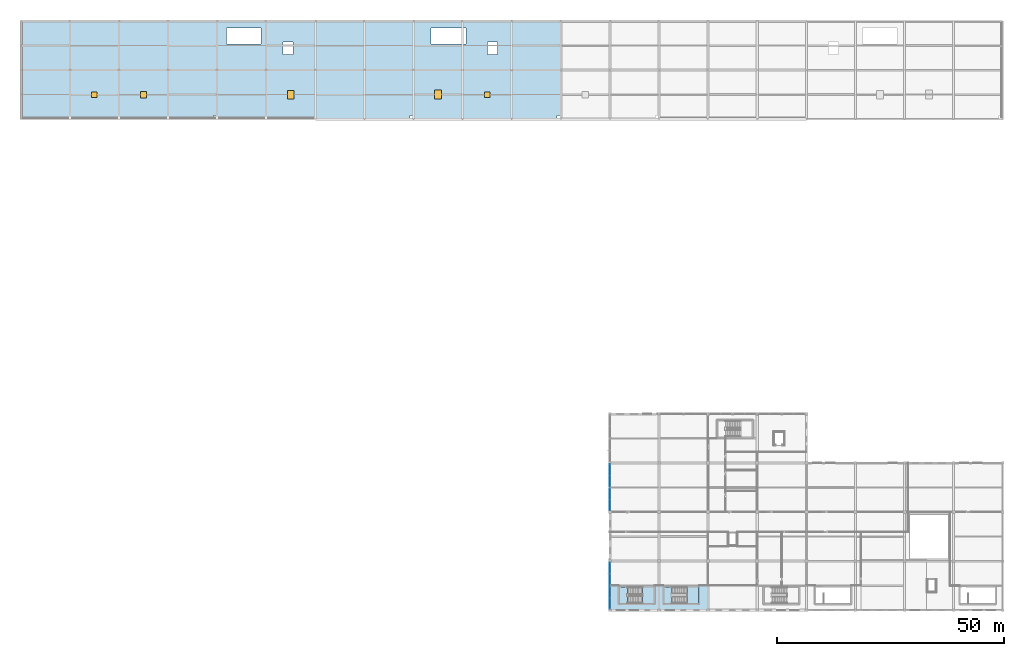
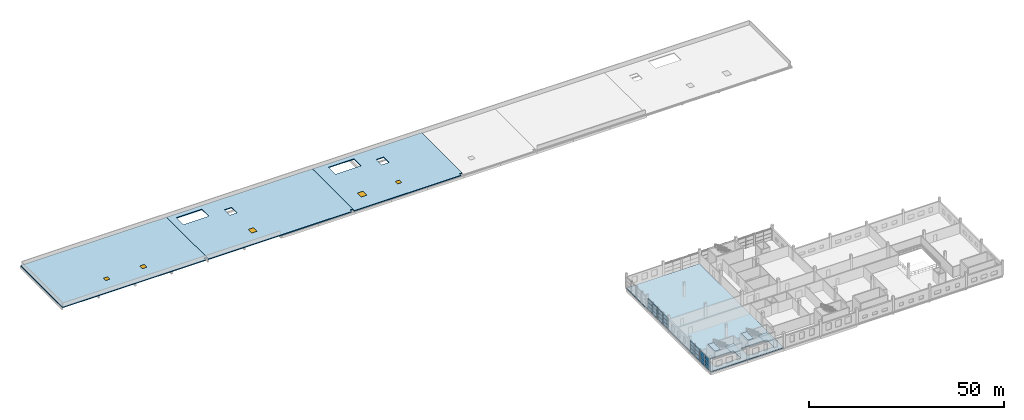
# One storey, part 11 of 24: 24 plates, 8 slabs, 5 windows, 5 openings, 6 elements without a shape of their own.
"""IFC4 building model written with IfcOpenShell, lengths in metres."""

from ifc_helpers import new_model, si_unit, direction, frame, origin, origin_2d, place, context, subcontext, project, spatial, polyline, rectangle, outline, extrude, material, layer, layer_set, type_object, element, fill, aggregate, save


model = new_model("IFC4")

# Units and contexts
model_context = context("Model", 3, precision=1e-05, world=origin(), true_north=direction((0.0, 1.0)))
body_context = subcontext(model_context, "Body", "Model", "MODEL_VIEW")
ifc_project = project(units=[si_unit("LENGTHUNIT", "METRE"), si_unit("AREAUNIT", "SQUARE_METRE"), si_unit("VOLUMEUNIT", "CUBIC_METRE"), si_unit("PLANEANGLEUNIT", "RADIAN"), si_unit("MASSUNIT", "GRAM", prefix="KILO")], contexts=[model_context])

# Site, building, storey
site_placement = place(None, origin())
site = spatial("IfcSite", under=ifc_project, at=site_placement, CompositionType="ELEMENT")
building_placement = place(site_placement, origin())
building = spatial("IfcBuilding", under=site, at=building_placement, Name="Zwinboog Wholesale Market", CompositionType="ELEMENT")
storey_placement = place(building_placement, frame((0.0, 0.0, 10.080078125)))
storey = spatial("IfcBuildingStorey", under=building, at=storey_placement, Name="L02", CompositionType="ELEMENT", Elevation=10.080078125)

# Slab
ifc_material_1 = material(Name="Precast concrete C45/55", Category="concrete")
ifc_layer_1 = layer(ifc_material_1, 0.280029296875)
ifc_layer_set_1 = layer_set([ifc_layer_1], Name="Precast concrete C45/55")
slab_type_1 = type_object("IfcSlabType", Name="SLT-FL-280", PredefinedType="FLOOR", material=ifc_layer_set_1)
slab_1_placement = place(storey_placement, frame((0.0, 0.0, -0.280029296875)))
element("IfcSlab", 1, at=slab_1_placement, inside=storey, type_object=slab_type_1, Name="SF-280 (SLB-L02-056)", PredefinedType="FLOOR", context=body_context, shape_type="SweptSolid", body=[
    extrude(outline(polyline([(129.60009765625, 0.0), (151.199951171875, 0.0), (151.199951171875, 43.199951171875), (129.60009765625, 43.199951171875), (129.60009765625, 0.0)]), holes=[polyline([(131.699951171875, 1.5), (139.300048828125, 1.5), (139.300048828125, 5.10009765625), (131.699951171875, 5.10009765625), (131.699951171875, 1.5)]), polyline([(141.5, 1.5), (149.10009765625, 1.5), (149.10009765625, 5.10009765625), (141.5, 5.10009765625), (141.5, 1.5)])]), origin(), (0.0, 0.0, 1.0), 0.280029296875),
])

# Slab, openings, windows
ifc_layer_2 = layer(ifc_material_1, 0.27392578125)
ifc_layer_set_2 = layer_set([ifc_layer_2], Name="Precast concrete C45/55")
slab_type_2 = type_object("IfcSlabType", Name="SLT-GR-274", PredefinedType="ROOF", material=ifc_layer_set_2)
slab_2_placement = place(storey_placement, frame((0.0, 0.0, -0.274169921875)))
slab_2 = element("IfcSlab", 2, at=slab_2_placement, inside=storey, type_object=slab_type_2, Name="SG-274 (SLB-L02-GRF-01)", PredefinedType="ROOF", context=body_context, shape_type="SweptSolid", body=[
    extrude(outline(polyline([(0.0, 108.0), (42.39990234375, 108.0), (42.39990234375, 108.800048828125), (43.199951171875, 108.800048828125), (43.199951171875, 129.60009765625), (0.0, 129.60009765625), (0.0, 108.0)])), origin(), (0.0, 0.0, 1.0), 0.274169921875),
])
opening_1_placement = place(slab_2_placement, frame((16.199951171875, 113.39990234375, 0.0)))
opening_1 = element("IfcOpeningElement", 3, at=opening_1_placement, cuts=slab_2, Name="Opening RH-01", PredefinedType="OPENING", context=body_context, shape_type="SweptSolid", body=[
    extrude(rectangle(XDim=1.199951171875, YDim=1.199951171875, at=origin_2d()), frame((0.0, 0.0, -0.010009765625)), (0.0, 0.0, 1.0), 0.294189453125),
])
opening_2_placement = place(slab_2_placement, frame((27.0, 113.39990234375, 0.0)))
opening_2 = element("IfcOpeningElement", 4, at=opening_2_placement, cuts=slab_2, Name="Opening RH-02", PredefinedType="OPENING", context=body_context, shape_type="SweptSolid", body=[
    extrude(rectangle(XDim=1.39990234375, YDim=1.39990234375, at=origin_2d()), frame((0.0, 0.0, -0.010009765625)), (0.0, 0.0, 1.0), 0.294189453125),
])
ifc_material_2 = material(Name="Aerodynamic insulated aluminium smoke-vent hatch", Category="aluminium")
window_type_1 = type_object("IfcWindowType", Name="SKT-01", PartitioningType="SINGLE_PANEL", PredefinedType="SKYLIGHT", material=ifc_material_2)
window_1_placement = place(opening_1_placement, frame((0.0, 0.0, 0.22412109375)))
window_1 = element("IfcWindow", 5, at=window_1_placement, inside=storey, type_object=window_type_1, Name="Roof Smoke-Vent Hatch RH-01", OverallHeight=1.199951171875, OverallWidth=1.199951171875, PartitioningType="SINGLE_PANEL", PredefinedType="SKYLIGHT", context=body_context, shape_type="SweptSolid", body=[
    extrude(rectangle(XDim=1.199951171875, YDim=1.199951171875, at=origin_2d()), origin(), (0.0, 0.0, 1.0), 0.050048828125),
])
fill(opening_1, window_1)
window_type_2 = type_object("IfcWindowType", Name="SKT-02", PartitioningType="SINGLE_PANEL", PredefinedType="SKYLIGHT", material=ifc_material_2)
window_2_placement = place(opening_2_placement, frame((0.0, 0.0, 0.22412109375)))
window_2 = element("IfcWindow", 6, at=window_2_placement, inside=storey, type_object=window_type_2, Name="Roof Smoke-Vent Hatch RH-02", OverallHeight=1.39990234375, OverallWidth=1.39990234375, PartitioningType="SINGLE_PANEL", PredefinedType="SKYLIGHT", context=body_context, shape_type="SweptSolid", body=[
    extrude(rectangle(XDim=1.39990234375, YDim=1.39990234375, at=origin_2d()), origin(), (0.0, 0.0, 1.0), 0.050048828125),
])
fill(opening_2, window_2)

slab_3_placement = place(storey_placement, frame((0.0, 0.0, -0.274169921875)))
slab_3 = element("IfcSlab", 7, at=slab_3_placement, inside=storey, type_object=slab_type_2, Name="SG-274 (SLB-L02-GRF-03)", PredefinedType="ROOF", context=body_context, shape_type="SweptSolid", body=[
    extrude(outline(polyline([(86.39990234375, 108.0), (118.0, 108.0), (118.0, 108.800048828125), (118.800048828125, 108.800048828125), (118.800048828125, 129.60009765625), (86.39990234375, 129.60009765625), (86.39990234375, 108.0)]), holes=[polyline([(90.300048828125, 124.5), (97.89990234375, 124.5), (97.89990234375, 128.10009765625), (90.300048828125, 128.10009765625), (90.300048828125, 124.5)]), polyline([(102.699951171875, 122.199951171875), (104.89990234375, 122.199951171875), (104.89990234375, 125.0), (102.699951171875, 125.0), (102.699951171875, 122.199951171875)])]), origin(), (0.0, 0.0, 1.0), 0.274169921875),
])
opening_3_placement = place(slab_3_placement, frame((91.800048828125, 113.39990234375, 0.0)))
opening_3 = element("IfcOpeningElement", 8, at=opening_3_placement, cuts=slab_3, Name="Opening RH-04", PredefinedType="OPENING", context=body_context, shape_type="SweptSolid", body=[
    extrude(rectangle(XDim=1.60009765625, YDim=2.0, at=origin_2d()), frame((0.0, 0.0, -0.010009765625)), (0.0, 0.0, 1.0), 0.294189453125),
])
opening_4_placement = place(slab_3_placement, frame((102.60009765625, 113.39990234375, 0.0)))
opening_4 = element("IfcOpeningElement", 9, at=opening_4_placement, cuts=slab_3, Name="Opening RH-05", PredefinedType="OPENING", context=body_context, shape_type="SweptSolid", body=[
    extrude(rectangle(XDim=1.199951171875, YDim=1.199951171875, at=origin_2d()), frame((0.0, 0.0, -0.010009765625)), (0.0, 0.0, 1.0), 0.294189453125),
])
window_3_placement = place(opening_4_placement, frame((0.0, 0.0, 0.22412109375)))
window_3 = element("IfcWindow", 10, at=window_3_placement, inside=storey, type_object=window_type_1, Name="Roof Smoke-Vent Hatch RH-05", OverallHeight=1.199951171875, OverallWidth=1.199951171875, PartitioningType="SINGLE_PANEL", PredefinedType="SKYLIGHT", context=body_context, shape_type="SweptSolid", body=[
    extrude(rectangle(XDim=1.199951171875, YDim=1.199951171875, at=origin_2d()), origin(), (0.0, 0.0, 1.0), 0.050048828125),
])
fill(opening_4, window_3)
window_type_3 = type_object("IfcWindowType", Name="SKT-04", PartitioningType="SINGLE_PANEL", PredefinedType="SKYLIGHT", material=ifc_material_2)
window_4_placement = place(opening_3_placement, frame((0.0, 0.0, 0.22412109375)))
window_4 = element("IfcWindow", 11, at=window_4_placement, inside=storey, type_object=window_type_3, Name="Roof Smoke-Vent Hatch RH-04", OverallHeight=2.0, OverallWidth=1.60009765625, PartitioningType="SINGLE_PANEL", PredefinedType="SKYLIGHT", context=body_context, shape_type="SweptSolid", body=[
    extrude(rectangle(XDim=1.60009765625, YDim=2.0, at=origin_2d()), origin(), (0.0, 0.0, 1.0), 0.050048828125),
])
fill(opening_3, window_4)

# Slab, opening, window
ifc_layer_3 = layer(ifc_material_1, 0.2958984375)
ifc_layer_set_3 = layer_set([ifc_layer_3], Name="Precast concrete C45/55")
slab_type_3 = type_object("IfcSlabType", Name="SLT-GR-296", PredefinedType="ROOF", material=ifc_layer_set_3)
slab_4_placement = place(storey_placement, frame((0.0, 0.0, -0.296142578125)))
slab_4 = element("IfcSlab", 12, at=slab_4_placement, inside=storey, type_object=slab_type_3, Name="SG-296 (SLB-L02-GRF-02)", PredefinedType="ROOF", context=body_context, shape_type="SweptSolid", body=[
    extrude(outline(polyline([(43.199951171875, 108.0), (85.60009765625, 108.0), (85.60009765625, 108.800048828125), (86.39990234375, 108.800048828125), (86.39990234375, 129.60009765625), (43.199951171875, 129.60009765625), (43.199951171875, 108.0)]), holes=[polyline([(45.300048828125, 124.5), (52.89990234375, 124.5), (52.89990234375, 128.10009765625), (45.300048828125, 128.10009765625), (45.300048828125, 124.5)]), polyline([(57.699951171875, 122.199951171875), (59.89990234375, 122.199951171875), (59.89990234375, 125.0), (57.699951171875, 125.0), (57.699951171875, 122.199951171875)])]), origin(), (0.0, 0.0, 1.0), 0.296142578125),
])
opening_5_placement = place(slab_4_placement, frame((59.39990234375, 113.39990234375, 0.0)))
opening_5 = element("IfcOpeningElement", 13, at=opening_5_placement, cuts=slab_4, Name="Opening RH-03", PredefinedType="OPENING", context=body_context, shape_type="SweptSolid", body=[
    extrude(rectangle(XDim=1.5, YDim=1.800048828125, at=origin_2d()), frame((0.0, 0.0, -0.010009765625)), (0.0, 0.0, 1.0), 0.316162109375),
])
window_type_4 = type_object("IfcWindowType", Name="SKT-03", PartitioningType="SINGLE_PANEL", PredefinedType="SKYLIGHT", material=ifc_material_2)
window_5_placement = place(opening_5_placement, frame((0.0, 0.0, 0.24609375)))
window_5 = element("IfcWindow", 14, at=window_5_placement, inside=storey, type_object=window_type_4, Name="Roof Smoke-Vent Hatch RH-03", OverallHeight=1.800048828125, OverallWidth=1.5, PartitioningType="SINGLE_PANEL", PredefinedType="SKYLIGHT", context=body_context, shape_type="SweptSolid", body=[
    extrude(rectangle(XDim=1.5, YDim=1.800048828125, at=origin_2d()), origin(), (0.0, 0.0, 1.0), 0.050048828125),
])
fill(opening_5, window_5)

# Curtain wall, plates
ifc_material_3 = material(Name="Aluminium thermally broken curtain wall", Category="aluminium")
curtain_wall_type_1 = type_object("IfcCurtainWallType", Name="CWT-CAFE-22", PredefinedType="USERDEFINED", material=ifc_material_3)
curtain_wall_1_placement = place(storey_placement, origin())
curtain_wall_1 = element("IfcCurtainWall", 15, at=curtain_wall_1_placement, inside=storey, type_object=curtain_wall_type_1, Name="CW-05 (CW-L02-155)", ObjectType="STOREFRONT_GLAZING", PredefinedType="USERDEFINED")
ifc_material_4 = material(Name="Double low-e insulated glazing", Category="glass")
ifc_layer_4 = layer(ifc_material_4, 0.031982421875)
ifc_layer_set_4 = layer_set([ifc_layer_4], Name="Double low-e insulated glazing")
plate_type = type_object("IfcPlateType", Name="CWP-IGU-32", PredefinedType="CURTAIN_PANEL", material=ifc_layer_set_4)
plate_1_placement = place(storey_placement, frame((129.60009765625, 1.55615234375, 0.06494140625), z_axis=(0.0, 0.0, 1.0), x_axis=(0.0, 1.0, 0.0)))
plate_1 = element("IfcPlate", 16, at=plate_1_placement, type_object=plate_type, Name="CW-05 panel 1.1", PredefinedType="CURTAIN_PANEL", context=body_context, shape_type="SweptSolid", body=[
    extrude(rectangle(XDim=2.342529296875, YDim=0.031982421875, at=origin_2d()), origin(), (0.0, 0.0, 1.0), 1.00244140625),
])
plate_2_placement = place(storey_placement, frame((129.60009765625, 1.55615234375, 1.13232421875), z_axis=(0.0, 0.0, 1.0), x_axis=(0.0, 1.0, 0.0)))
plate_2 = element("IfcPlate", 17, at=plate_2_placement, type_object=plate_type, Name="CW-05 panel 1.2", PredefinedType="CURTAIN_PANEL", context=body_context, shape_type="SweptSolid", body=[
    extrude(rectangle(XDim=2.342529296875, YDim=0.031982421875, at=origin_2d()), origin(), (0.0, 0.0, 1.0), 1.0849609375),
])
plate_3_placement = place(storey_placement, frame((129.60009765625, 1.55615234375, 2.282470703125), z_axis=(0.0, 0.0, 1.0), x_axis=(0.0, 1.0, 0.0)))
plate_3 = element("IfcPlate", 18, at=plate_3_placement, type_object=plate_type, Name="CW-05 panel 1.3", PredefinedType="CURTAIN_PANEL", context=body_context, shape_type="SweptSolid", body=[
    extrude(rectangle(XDim=2.342529296875, YDim=0.031982421875, at=origin_2d()), origin(), (0.0, 0.0, 1.0), 1.1826171875),
])
plate_4_placement = place(storey_placement, frame((129.60009765625, 3.9638671875, 0.06494140625), z_axis=(0.0, 0.0, 1.0), x_axis=(0.0, 1.0, 0.0)))
plate_4 = element("IfcPlate", 19, at=plate_4_placement, type_object=plate_type, Name="CW-05 panel 2.1", PredefinedType="CURTAIN_PANEL", context=body_context, shape_type="SweptSolid", body=[
    extrude(rectangle(XDim=2.342529296875, YDim=0.031982421875, at=origin_2d()), origin(), (0.0, 0.0, 1.0), 1.00244140625),
])
plate_5_placement = place(storey_placement, frame((129.60009765625, 3.9638671875, 1.13232421875), z_axis=(0.0, 0.0, 1.0), x_axis=(0.0, 1.0, 0.0)))
plate_5 = element("IfcPlate", 20, at=plate_5_placement, type_object=plate_type, Name="CW-05 panel 2.2", PredefinedType="CURTAIN_PANEL", context=body_context, shape_type="SweptSolid", body=[
    extrude(rectangle(XDim=2.342529296875, YDim=0.031982421875, at=origin_2d()), origin(), (0.0, 0.0, 1.0), 1.0849609375),
])
plate_6_placement = place(storey_placement, frame((129.60009765625, 3.9638671875, 2.282470703125), z_axis=(0.0, 0.0, 1.0), x_axis=(0.0, 1.0, 0.0)))
plate_6 = element("IfcPlate", 21, at=plate_6_placement, type_object=plate_type, Name="CW-05 panel 2.3", PredefinedType="CURTAIN_PANEL", context=body_context, shape_type="SweptSolid", body=[
    extrude(rectangle(XDim=2.342529296875, YDim=0.031982421875, at=origin_2d()), origin(), (0.0, 0.0, 1.0), 1.1826171875),
])
aggregate(curtain_wall_1, [plate_1, plate_2, plate_3, plate_4, plate_5, plate_6])

curtain_wall_type_2 = type_object("IfcCurtainWallType", Name="CWT-OFF-15", PredefinedType="USERDEFINED", material=ifc_material_3)
curtain_wall_2_placement = place(storey_placement, origin())
curtain_wall_2 = element("IfcCurtainWall", 22, at=curtain_wall_2_placement, inside=storey, type_object=curtain_wall_type_2, Name="CW-06 (CW-L02-156)", ObjectType="UNITIZED_CURTAIN_WALL", PredefinedType="USERDEFINED")
plate_7_placement = place(storey_placement, frame((129.60009765625, 6.8349609375, 0.06005859375), z_axis=(0.0, 0.0, 1.0), x_axis=(0.0, 1.0, 0.0)))
plate_7 = element("IfcPlate", 23, at=plate_7_placement, type_object=plate_type, Name="CW-06 panel 1.1", PredefinedType="CURTAIN_PANEL", context=body_context, shape_type="SweptSolid", body=[
    extrude(rectangle(XDim=2.35009765625, YDim=0.031982421875, at=origin_2d()), origin(), (0.0, 0.0, 1.0), 1.010009765625),
])
plate_8_placement = place(storey_placement, frame((129.60009765625, 6.8349609375, 1.1298828125), z_axis=(0.0, 0.0, 1.0), x_axis=(0.0, 1.0, 0.0)))
plate_8 = element("IfcPlate", 24, at=plate_8_placement, type_object=plate_type, Name="CW-06 panel 1.2", PredefinedType="CURTAIN_PANEL", context=body_context, shape_type="SweptSolid", body=[
    extrude(rectangle(XDim=2.35009765625, YDim=0.031982421875, at=origin_2d()), origin(), (0.0, 0.0, 1.0), 1.090087890625),
])
plate_9_placement = place(storey_placement, frame((129.60009765625, 6.8349609375, 2.280029296875), z_axis=(0.0, 0.0, 1.0), x_axis=(0.0, 1.0, 0.0)))
plate_9 = element("IfcPlate", 25, at=plate_9_placement, type_object=plate_type, Name="CW-06 panel 1.3", PredefinedType="CURTAIN_PANEL", context=body_context, shape_type="SweptSolid", body=[
    extrude(rectangle(XDim=2.35009765625, YDim=0.031982421875, at=origin_2d()), origin(), (0.0, 0.0, 1.0), 1.18994140625),
])
plate_10_placement = place(storey_placement, frame((129.60009765625, 9.2451171875, 0.06005859375), z_axis=(0.0, 0.0, 1.0), x_axis=(0.0, 1.0, 0.0)))
plate_10 = element("IfcPlate", 26, at=plate_10_placement, type_object=plate_type, Name="CW-06 panel 2.1", PredefinedType="CURTAIN_PANEL", context=body_context, shape_type="SweptSolid", body=[
    extrude(rectangle(XDim=2.35009765625, YDim=0.031982421875, at=origin_2d()), origin(), (0.0, 0.0, 1.0), 1.010009765625),
])
plate_11_placement = place(storey_placement, frame((129.60009765625, 9.2451171875, 1.1298828125), z_axis=(0.0, 0.0, 1.0), x_axis=(0.0, 1.0, 0.0)))
plate_11 = element("IfcPlate", 27, at=plate_11_placement, type_object=plate_type, Name="CW-06 panel 2.2", PredefinedType="CURTAIN_PANEL", context=body_context, shape_type="SweptSolid", body=[
    extrude(rectangle(XDim=2.35009765625, YDim=0.031982421875, at=origin_2d()), origin(), (0.0, 0.0, 1.0), 1.090087890625),
])
plate_12_placement = place(storey_placement, frame((129.60009765625, 9.2451171875, 2.280029296875), z_axis=(0.0, 0.0, 1.0), x_axis=(0.0, 1.0, 0.0)))
plate_12 = element("IfcPlate", 28, at=plate_12_placement, type_object=plate_type, Name="CW-06 panel 2.3", PredefinedType="CURTAIN_PANEL", context=body_context, shape_type="SweptSolid", body=[
    extrude(rectangle(XDim=2.35009765625, YDim=0.031982421875, at=origin_2d()), origin(), (0.0, 0.0, 1.0), 1.18994140625),
])
aggregate(curtain_wall_2, [plate_7, plate_8, plate_9, plate_10, plate_11, plate_12])

curtain_wall_type_3 = type_object("IfcCurtainWallType", Name="CWT-STALL-18", PredefinedType="USERDEFINED", material=ifc_material_3)
curtain_wall_3_placement = place(storey_placement, origin())
curtain_wall_3 = element("IfcCurtainWall", 29, at=curtain_wall_3_placement, inside=storey, type_object=curtain_wall_type_3, Name="CW-01 (CW-L02-157)", ObjectType="STOREFRONT_GLAZING", PredefinedType="USERDEFINED")
plate_13_placement = place(storey_placement, frame((129.60009765625, 23.15625, 0.06494140625), z_axis=(0.0, 0.0, 1.0), x_axis=(0.0, 1.0, 0.0)))
plate_13 = element("IfcPlate", 30, at=plate_13_placement, type_object=plate_type, Name="CW-01 panel 1.1", PredefinedType="CURTAIN_PANEL", context=body_context, shape_type="SweptSolid", body=[
    extrude(rectangle(XDim=2.342529296875, YDim=0.031982421875, at=origin_2d()), origin(), (0.0, 0.0, 1.0), 1.00244140625),
])
plate_14_placement = place(storey_placement, frame((129.60009765625, 23.15625, 1.13232421875), z_axis=(0.0, 0.0, 1.0), x_axis=(0.0, 1.0, 0.0)))
plate_14 = element("IfcPlate", 31, at=plate_14_placement, type_object=plate_type, Name="CW-01 panel 1.2", PredefinedType="CURTAIN_PANEL", context=body_context, shape_type="SweptSolid", body=[
    extrude(rectangle(XDim=2.342529296875, YDim=0.031982421875, at=origin_2d()), origin(), (0.0, 0.0, 1.0), 1.0849609375),
])
plate_15_placement = place(storey_placement, frame((129.60009765625, 23.15625, 2.282470703125), z_axis=(0.0, 0.0, 1.0), x_axis=(0.0, 1.0, 0.0)))
plate_15 = element("IfcPlate", 32, at=plate_15_placement, type_object=plate_type, Name="CW-01 panel 1.3", PredefinedType="CURTAIN_PANEL", context=body_context, shape_type="SweptSolid", body=[
    extrude(rectangle(XDim=2.342529296875, YDim=0.031982421875, at=origin_2d()), origin(), (0.0, 0.0, 1.0), 1.1826171875),
])
plate_16_placement = place(storey_placement, frame((129.60009765625, 25.563720703125, 0.06494140625), z_axis=(0.0, 0.0, 1.0), x_axis=(0.0, 1.0, 0.0)))
plate_16 = element("IfcPlate", 33, at=plate_16_placement, type_object=plate_type, Name="CW-01 panel 2.1", PredefinedType="CURTAIN_PANEL", context=body_context, shape_type="SweptSolid", body=[
    extrude(rectangle(XDim=2.342529296875, YDim=0.031982421875, at=origin_2d()), origin(), (0.0, 0.0, 1.0), 1.00244140625),
])
plate_17_placement = place(storey_placement, frame((129.60009765625, 25.563720703125, 1.13232421875), z_axis=(0.0, 0.0, 1.0), x_axis=(0.0, 1.0, 0.0)))
plate_17 = element("IfcPlate", 34, at=plate_17_placement, type_object=plate_type, Name="CW-01 panel 2.2", PredefinedType="CURTAIN_PANEL", context=body_context, shape_type="SweptSolid", body=[
    extrude(rectangle(XDim=2.342529296875, YDim=0.031982421875, at=origin_2d()), origin(), (0.0, 0.0, 1.0), 1.0849609375),
])
plate_18_placement = place(storey_placement, frame((129.60009765625, 25.563720703125, 2.282470703125), z_axis=(0.0, 0.0, 1.0), x_axis=(0.0, 1.0, 0.0)))
plate_18 = element("IfcPlate", 35, at=plate_18_placement, type_object=plate_type, Name="CW-01 panel 2.3", PredefinedType="CURTAIN_PANEL", context=body_context, shape_type="SweptSolid", body=[
    extrude(rectangle(XDim=2.342529296875, YDim=0.031982421875, at=origin_2d()), origin(), (0.0, 0.0, 1.0), 1.1826171875),
])
aggregate(curtain_wall_3, [plate_13, plate_14, plate_15, plate_16, plate_17, plate_18])

curtain_wall_type_4 = type_object("IfcCurtainWallType", Name="CWT-STALL-20", PredefinedType="USERDEFINED", material=ifc_material_3)
curtain_wall_4_placement = place(storey_placement, origin())
curtain_wall_4 = element("IfcCurtainWall", 36, at=curtain_wall_4_placement, inside=storey, type_object=curtain_wall_type_4, Name="CW-02 (CW-L02-158)", ObjectType="STOREFRONT_GLAZING", PredefinedType="USERDEFINED")
plate_19_placement = place(storey_placement, frame((129.60009765625, 28.447509765625, 0.06005859375), z_axis=(0.0, 0.0, 1.0), x_axis=(0.0, 1.0, 0.0)))
plate_19 = element("IfcPlate", 37, at=plate_19_placement, type_object=plate_type, Name="CW-02 panel 1.1", PredefinedType="CURTAIN_PANEL", context=body_context, shape_type="SweptSolid", body=[
    extrude(rectangle(XDim=2.375, YDim=0.031982421875, at=origin_2d()), origin(), (0.0, 0.0, 1.0), 1.010009765625),
])
plate_20_placement = place(storey_placement, frame((129.60009765625, 28.447509765625, 1.1298828125), z_axis=(0.0, 0.0, 1.0), x_axis=(0.0, 1.0, 0.0)))
plate_20 = element("IfcPlate", 38, at=plate_20_placement, type_object=plate_type, Name="CW-02 panel 1.2", PredefinedType="CURTAIN_PANEL", context=body_context, shape_type="SweptSolid", body=[
    extrude(rectangle(XDim=2.375, YDim=0.031982421875, at=origin_2d()), origin(), (0.0, 0.0, 1.0), 1.090087890625),
])
plate_21_placement = place(storey_placement, frame((129.60009765625, 28.447509765625, 2.280029296875), z_axis=(0.0, 0.0, 1.0), x_axis=(0.0, 1.0, 0.0)))
plate_21 = element("IfcPlate", 39, at=plate_21_placement, type_object=plate_type, Name="CW-02 panel 1.3", PredefinedType="CURTAIN_PANEL", context=body_context, shape_type="SweptSolid", body=[
    extrude(rectangle(XDim=2.375, YDim=0.031982421875, at=origin_2d()), origin(), (0.0, 0.0, 1.0), 1.18994140625),
])
plate_22_placement = place(storey_placement, frame((129.60009765625, 30.882568359375, 0.06005859375), z_axis=(0.0, 0.0, 1.0), x_axis=(0.0, 1.0, 0.0)))
plate_22 = element("IfcPlate", 40, at=plate_22_placement, type_object=plate_type, Name="CW-02 panel 2.1", PredefinedType="CURTAIN_PANEL", context=body_context, shape_type="SweptSolid", body=[
    extrude(rectangle(XDim=2.375, YDim=0.031982421875, at=origin_2d()), origin(), (0.0, 0.0, 1.0), 1.010009765625),
])
plate_23_placement = place(storey_placement, frame((129.60009765625, 30.882568359375, 1.1298828125), z_axis=(0.0, 0.0, 1.0), x_axis=(0.0, 1.0, 0.0)))
plate_23 = element("IfcPlate", 41, at=plate_23_placement, type_object=plate_type, Name="CW-02 panel 2.2", PredefinedType="CURTAIN_PANEL", context=body_context, shape_type="SweptSolid", body=[
    extrude(rectangle(XDim=2.375, YDim=0.031982421875, at=origin_2d()), origin(), (0.0, 0.0, 1.0), 1.090087890625),
])
plate_24_placement = place(storey_placement, frame((129.60009765625, 30.882568359375, 2.280029296875), z_axis=(0.0, 0.0, 1.0), x_axis=(0.0, 1.0, 0.0)))
plate_24 = element("IfcPlate", 42, at=plate_24_placement, type_object=plate_type, Name="CW-02 panel 2.3", PredefinedType="CURTAIN_PANEL", context=body_context, shape_type="SweptSolid", body=[
    extrude(rectangle(XDim=2.375, YDim=0.031982421875, at=origin_2d()), origin(), (0.0, 0.0, 1.0), 1.18994140625),
])
aggregate(curtain_wall_4, [plate_19, plate_20, plate_21, plate_22, plate_23, plate_24])

# Stair, slabs
ifc_material_5 = material(Name="Concrete C40/50", Category="concrete")
stair_type_1 = type_object("IfcStairType", Name="STT-DOG-145", PredefinedType="HALF_TURN_STAIR", material=ifc_material_5)
stair_1_placement = place(storey_placement, origin())
stair_1 = element("IfcStair", 43, at=stair_1_placement, inside=storey, type_object=stair_type_1, Name="Enclosed Escape Stair ST-13C", PredefinedType="HALF_TURN_STAIR")
ifc_layer_5 = layer(ifc_material_5, 0.199951171875)
ifc_layer_set_5 = layer_set([ifc_layer_5], Name="Concrete C40/50")
slab_type_4 = type_object("IfcSlabType", Name="SLT-LND-200", PredefinedType="LANDING", material=ifc_layer_set_5)
slab_5_placement = place(storey_placement, frame((0.0, 0.0, 2.139892578125)))
slab_5 = element("IfcSlab", 44, at=slab_5_placement, type_object=slab_type_4, Name="ST-13C landing 1", PredefinedType="LANDING", context=body_context, shape_type="SweptSolid", body=[
    extrude(outline(polyline([(146.580078125, 1.5048828125), (149.094970703125, 1.5048828125), (149.094970703125, 5.094970703125), (146.580078125, 5.094970703125), (146.580078125, 1.5048828125)])), origin(), (0.0, 0.0, 1.0), 0.199951171875),
])
slab_6_placement = place(storey_placement, frame((0.0, 0.0, 4.47998046875)))
slab_6 = element("IfcSlab", 45, at=slab_6_placement, type_object=slab_type_4, Name="ST-13C landing 2", PredefinedType="LANDING", context=body_context, shape_type="SweptSolid", body=[
    extrude(outline(polyline([(141.5048828125, 1.5048828125), (143.219970703125, 1.5048828125), (143.219970703125, 5.094970703125), (141.5048828125, 5.094970703125), (141.5048828125, 1.5048828125)])), origin(), (0.0, 0.0, 1.0), 0.199951171875),
])
aggregate(stair_1, [slab_5, slab_6])

stair_type_2 = type_object("IfcStairType", Name="STT-DOG-160", PredefinedType="HALF_TURN_STAIR", material=ifc_material_5)
stair_2_placement = place(storey_placement, origin())
stair_2 = element("IfcStair", 46, at=stair_2_placement, inside=storey, type_object=stair_type_2, Name="Enclosed Escape Stair ST-10C", PredefinedType="HALF_TURN_STAIR")
ifc_layer_6 = layer(ifc_material_5, 0.219970703125)
ifc_layer_set_6 = layer_set([ifc_layer_6], Name="Concrete C40/50")
slab_type_5 = type_object("IfcSlabType", Name="SLT-LND-220", PredefinedType="LANDING", material=ifc_layer_set_6)
slab_7_placement = place(storey_placement, frame((0.0, 0.0, 2.119873046875)))
slab_7 = element("IfcSlab", 47, at=slab_7_placement, type_object=slab_type_5, Name="ST-10C landing 1", PredefinedType="LANDING", context=body_context, shape_type="SweptSolid", body=[
    extrude(outline(polyline([(136.780029296875, 1.5048828125), (139.294921875, 1.5048828125), (139.294921875, 5.094970703125), (136.780029296875, 5.094970703125), (136.780029296875, 1.5048828125)])), origin(), (0.0, 0.0, 1.0), 0.219970703125),
])
slab_8_placement = place(storey_placement, frame((0.0, 0.0, 4.4599609375)))
slab_8 = element("IfcSlab", 48, at=slab_8_placement, type_object=slab_type_5, Name="ST-10C landing 2", PredefinedType="LANDING", context=body_context, shape_type="SweptSolid", body=[
    extrude(outline(polyline([(131.705078125, 1.5048828125), (133.419921875, 1.5048828125), (133.419921875, 5.094970703125), (131.705078125, 5.094970703125), (131.705078125, 1.5048828125)])), origin(), (0.0, 0.0, 1.0), 0.219970703125),
])
aggregate(stair_2, [slab_7, slab_8])

save(model, "model.ifc")
